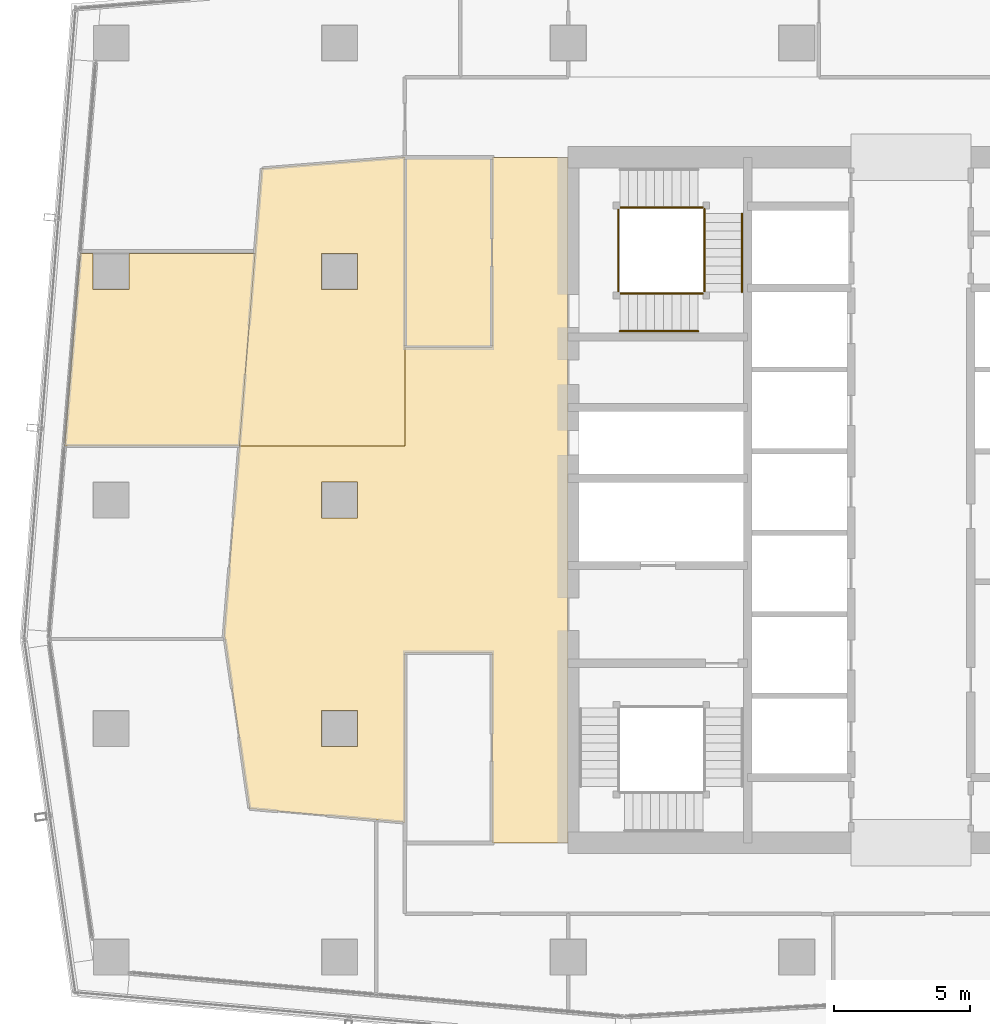
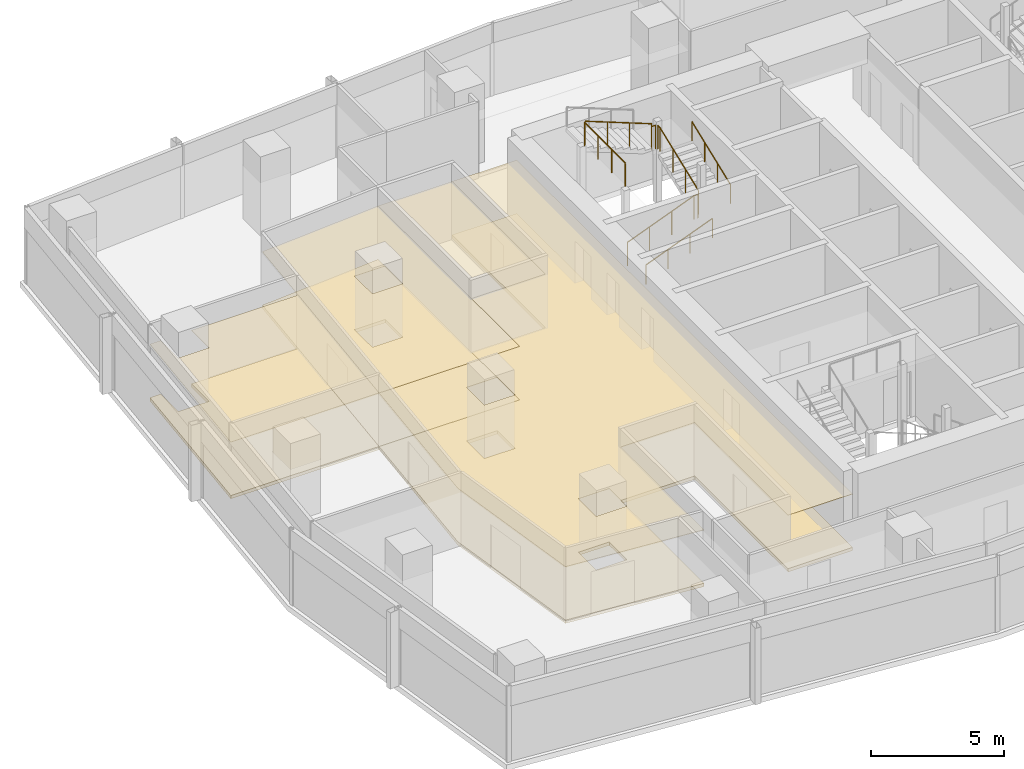
# One storey, part 24 of 26: 9 railings, 7 coverings.
"""IFC4 building model written with IfcOpenShell, lengths in metres."""

from ifc_helpers import new_model, si_unit, direction, frame, origin, origin_2d, place, context, subcontext, project, spatial, polyline, circle, outline, extrude, material, layer, layer_set, type_object, element, save


model = new_model("IFC4")

# Units and contexts
model_context = context("Model", 3, precision=1e-05, world=origin(), true_north=direction((0.0, 1.0)))
body_context = subcontext(model_context, "Body", "Model", "MODEL_VIEW")
ifc_project = project(units=[si_unit("LENGTHUNIT", "METRE"), si_unit("AREAUNIT", "SQUARE_METRE"), si_unit("VOLUMEUNIT", "CUBIC_METRE"), si_unit("PLANEANGLEUNIT", "RADIAN"), si_unit("MASSUNIT", "GRAM", prefix="KILO")], contexts=[model_context])

# Site, building, storey
site_placement = place(None, origin())
site = spatial("IfcSite", under=ifc_project, at=site_placement, CompositionType="ELEMENT")
building_placement = place(site_placement, origin())
building = spatial("IfcBuilding", under=site, at=building_placement, Name="Rekha Terrace Tower", CompositionType="ELEMENT")
storey_placement = place(building_placement, frame((0.0, 0.0, 283.85009765625)))
storey = spatial("IfcBuildingStorey", under=building, at=storey_placement, Name="L72", CompositionType="ELEMENT", Elevation=283.85009765625)

# Coverings
ifc_material_1 = material(Name="Mineral fibre tile in exposed grid", Category="finish")
ifc_layer_1 = layer(ifc_material_1, 0.02001953125)
ifc_layer_set_1 = layer_set([ifc_layer_1], Name="Mineral fibre tile in exposed grid")
covering_type_1 = type_object("IfcCoveringType", Name="CL1 600x1200 office grid ceiling", PredefinedType="CEILING", material=ifc_layer_set_1)
covering_1_placement = place(storey_placement, frame((0.0, 0.0, 2.579833984375)))
element("IfcCovering", 1, at=covering_1_placement, inside=storey, type_object=covering_type_1, Name="Ceiling L72-07", PredefinedType="CEILING", context=body_context, shape_type="SweptSolid", body=[
    extrude(outline(polyline([(7.735107421875, 42.656005859375), (7.26611328125, 42.656005859375), (6.69091796875, 35.590087890625), (13.112060546875, 35.590087890625), (13.68701171875, 42.656005859375), (9.06494140625, 42.656005859375), (9.06494140625, 41.3349609375), (7.735107421875, 41.3349609375), (7.735107421875, 42.656005859375)])), origin(), (0.0, 0.0, 1.0), 0.02001953125),
])
covering_2_placement = place(storey_placement, frame((0.0, 0.0, 2.579833984375)))
element("IfcCovering", 2, at=covering_2_placement, inside=storey, type_object=covering_type_1, Name="Ceiling L72-O2b", PredefinedType="CEILING", context=body_context, shape_type="SweptSolid", body=[
    extrude(outline(polyline([(13.94091796875, 45.785888671875), (13.68701171875, 42.656005859375), (13.112060546875, 35.590087890625), (19.199951171875, 35.590087890625), (19.199951171875, 46.2060546875), (13.94091796875, 45.785888671875)]), holes=[polyline([(17.465087890625, 41.3349609375), (16.135009765625, 41.3349609375), (16.135009765625, 42.6650390625), (17.465087890625, 42.6650390625), (17.465087890625, 41.3349609375)])]), origin(), (0.0, 0.0, 1.0), 0.02001953125),
])
covering_3_placement = place(storey_placement, frame((0.0, 0.0, 2.579833984375)))
element("IfcCovering", 3, at=covering_3_placement, inside=storey, type_object=covering_type_1, Name="Ceiling L72-O3b", PredefinedType="CEILING", context=body_context, shape_type="SweptSolid", body=[
    extrude(outline(polyline([(12.552978515625, 28.72412109375), (12.5869140625, 28.491943359375), (13.488037109375, 22.259033203125), (18.14892578125, 21.844970703125), (18.14892578125, 21.843994140625), (19.199951171875, 21.7509765625), (19.199951171875, 28.0), (22.39990234375, 28.0), (22.39990234375, 21.0), (25.199951171875, 21.0), (25.199951171875, 46.199951171875), (22.39990234375, 46.199951171875), (22.39990234375, 39.199951171875), (19.199951171875, 39.199951171875), (19.199951171875, 35.590087890625), (13.112060546875, 35.590087890625), (12.552978515625, 28.72412109375)]), holes=[polyline([(17.465087890625, 25.864990234375), (17.465087890625, 24.534912109375), (16.135009765625, 24.534912109375), (16.135009765625, 25.864990234375), (17.465087890625, 25.864990234375)]), polyline([(17.465087890625, 34.264892578125), (17.465087890625, 32.93505859375), (16.135009765625, 32.93505859375), (16.135009765625, 34.264892578125), (17.465087890625, 34.264892578125)])]), origin(), (0.0, 0.0, 1.0), 0.02001953125),
])
ifc_material_2 = material(Name="Fibre cement board", Category="finish")
ifc_layer_2 = layer(ifc_material_2, 0.014892578125)
ifc_layer_set_2 = layer_set([ifc_layer_2], Name="Fibre cement board")
covering_type_2 = type_object("IfcCoveringType", Name="CL2 moisture-resistant board ceiling", PredefinedType="CEILING", material=ifc_layer_set_2)
covering_4_placement = place(storey_placement, frame((0.0, 0.0, 2.5849609375)))
element("IfcCovering", 4, at=covering_4_placement, inside=storey, type_object=covering_type_2, Name="Ceiling L72-WCF2", PredefinedType="CEILING", context=body_context, shape_type="SweptSolid", body=[
    extrude(outline(polyline([(22.39990234375, 46.199951171875), (19.199951171875, 46.199951171875), (19.199951171875, 39.199951171875), (22.39990234375, 39.199951171875), (22.39990234375, 46.199951171875)])), origin(), (0.0, 0.0, 1.0), 0.014892578125),
])

# Railings
ifc_material_3 = material(Name="Stainless steel balustrade", Category="steel")
railing_type_1 = type_object("IfcRailingType", Name="GR1 1100 stair guard", PredefinedType="GUARDRAIL", material=ifc_material_3)
railing_1_placement = place(storey_placement, frame((27.10009765625, 41.18994140625, 0.125)))
element("IfcRailing", 5, at=railing_1_placement, inside=storey, type_object=railing_type_1, Name="Guard ST4 L72 flight 1", PredefinedType="GUARDRAIL", context=body_context, shape_type="SweptSolid", body=[
    extrude(circle(Radius=0.02392578125, at=origin_2d()), frame((0.0, 0.0, 1.076171875), z_axis=(0.931452331594, 0.0, 0.363863372667), x_axis=(0.0, 1.0, 0.0)), (0.0, 0.0, 1.0), 3.091796875),
    extrude(circle(Radius=0.02099609375, at=origin_2d()), origin(), (0.0, 0.0, 1.0), 1.052001953125),
    extrude(circle(Radius=0.02099609375, at=origin_2d()), frame((0.9599609375, 0.0, 0.375)), (0.0, 0.0, 1.0), 1.052001953125),
    extrude(circle(Radius=0.02099609375, at=origin_2d()), frame((1.919921875, 0.0, 0.75)), (0.0, 0.0, 1.0), 1.052001953125),
    extrude(circle(Radius=0.02099609375, at=origin_2d()), frame((2.8798828125, 0.0, 1.125)), (0.0, 0.0, 1.0), 1.052001953125),
])
railing_2_placement = place(storey_placement, frame((30.2099609375, 41.25, 1.375)))
element("IfcRailing", 6, at=railing_2_placement, inside=storey, type_object=railing_type_1, Name="Guard ST4 L72 flight 2", PredefinedType="GUARDRAIL", context=body_context, shape_type="SweptSolid", body=[
    extrude(circle(Radius=0.02392578125, at=origin_2d()), frame((0.0, 0.0, 1.076171875), z_axis=(0.0, 0.931452331594, 0.363863372667), x_axis=(-1.0, 0.0, 0.0)), (0.0, 0.0, 1.0), 3.091796875),
    extrude(circle(Radius=0.02099609375, at=origin_2d()), origin(), (0.0, 0.0, 1.0), 1.052001953125),
    extrude(circle(Radius=0.02099609375, at=origin_2d()), frame((0.0, 0.9599609375, 0.375)), (0.0, 0.0, 1.0), 1.052001953125),
    extrude(circle(Radius=0.02099609375, at=origin_2d()), frame((0.0, 1.919921875, 0.75)), (0.0, 0.0, 1.0), 1.052001953125),
    extrude(circle(Radius=0.02099609375, at=origin_2d()), frame((0.0, 2.8798828125, 1.125)), (0.0, 0.0, 1.0), 1.052001953125),
])
railing_3_placement = place(storey_placement, frame((29.97998046875, 44.360107421875, 2.625)))
element("IfcRailing", 7, at=railing_3_placement, inside=storey, type_object=railing_type_1, Name="Guard ST4 L72 flight 3", PredefinedType="GUARDRAIL", context=body_context, shape_type="SweptSolid", body=[
    extrude(circle(Radius=0.02392578125, at=origin_2d()), frame((0.0, 0.0, 1.076171875), z_axis=(-0.931452331594, 0.0, 0.363863372667), x_axis=(0.0, -1.0, 0.0)), (0.0, 0.0, 1.0), 3.091796875),
    extrude(circle(Radius=0.02099609375, at=origin_2d()), origin(), (0.0, 0.0, 1.0), 1.052001953125),
    extrude(circle(Radius=0.02099609375, at=origin_2d()), frame((-0.9599609375, 0.0, 0.375)), (0.0, 0.0, 1.0), 1.052001953125),
    extrude(circle(Radius=0.02099609375, at=origin_2d()), frame((-1.919921875, 0.0, 0.75)), (0.0, 0.0, 1.0), 1.052001953125),
    extrude(circle(Radius=0.02099609375, at=origin_2d()), frame((-2.8798828125, 0.0, 1.125)), (0.0, 0.0, 1.0), 1.052001953125),
])
railing_4_placement = place(storey_placement, frame((29.97998046875, 41.18994140625, 1.25)))
element("IfcRailing", 8, at=railing_4_placement, inside=storey, type_object=railing_type_1, Name="Guard ST4 L72 landing 1", PredefinedType="GUARDRAIL", context=body_context, shape_type="SweptSolid", body=[
    extrude(circle(Radius=0.02392578125, at=origin_2d()), frame((0.0, 0.0, 1.076171875), z_axis=(1.0, 0.0, 0.0), x_axis=(0.0, 1.0, 0.0)), (0.0, 0.0, 1.0), 0.169921875),
    extrude(circle(Radius=0.02099609375, at=origin_2d()), origin(), (0.0, 0.0, 1.0), 1.052001953125),
    extrude(circle(Radius=0.02099609375, at=origin_2d()), frame((0.169921875, 0.0, 0.0)), (0.0, 0.0, 1.0), 1.052001953125),
])
railing_5_placement = place(storey_placement, frame((30.2099609375, 44.1298828125, 2.5)))
element("IfcRailing", 9, at=railing_5_placement, inside=storey, type_object=railing_type_1, Name="Guard ST4 L72 landing 2", PredefinedType="GUARDRAIL", context=body_context, shape_type="SweptSolid", body=[
    extrude(circle(Radius=0.02392578125, at=origin_2d()), frame((0.0, 0.0, 1.076171875), z_axis=(0.0, 1.0, 0.0), x_axis=(-1.0, 0.0, 0.0)), (0.0, 0.0, 1.0), 0.170166015625),
    extrude(circle(Radius=0.02099609375, at=origin_2d()), origin(), (0.0, 0.0, 1.0), 1.052001953125),
    extrude(circle(Radius=0.02099609375, at=origin_2d()), frame((0.0, 0.170166015625, 0.0)), (0.0, 0.0, 1.0), 1.052001953125),
])
railing_6_placement = place(storey_placement, frame((29.97998046875, 44.360107421875, 2.5)))
element("IfcRailing", 10, at=railing_6_placement, inside=storey, type_object=railing_type_1, Name="Guard ST4 L72 landing 3", PredefinedType="GUARDRAIL", context=body_context, shape_type="SweptSolid", body=[
    extrude(circle(Radius=0.02392578125, at=origin_2d()), frame((0.0, 0.0, 1.076171875), z_axis=(1.0, 0.0, 0.0), x_axis=(0.0, 1.0, 0.0)), (0.0, 0.0, 1.0), 0.169921875),
    extrude(circle(Radius=0.02099609375, at=origin_2d()), origin(), (0.0, 0.0, 1.0), 1.052001953125),
    extrude(circle(Radius=0.02099609375, at=origin_2d()), frame((0.169921875, 0.0, 0.0)), (0.0, 0.0, 1.0), 1.052001953125),
])
railing_7_placement = place(storey_placement, frame((27.0400390625, 41.25, 3.75)))
element("IfcRailing", 11, at=railing_7_placement, inside=storey, type_object=railing_type_1, Name="Guard ST4 L72 landing 4", PredefinedType="GUARDRAIL", context=body_context, shape_type="SweptSolid", body=[
    extrude(circle(Radius=0.02392578125, at=origin_2d()), frame((0.0, 0.0, 1.076171875), z_axis=(0.0, 1.0, 0.0), x_axis=(-1.0, 0.0, 0.0)), (0.0, 0.0, 1.0), 3.050048828125),
    extrude(circle(Radius=0.02099609375, at=origin_2d()), origin(), (0.0, 0.0, 1.0), 1.052001953125),
    extrude(circle(Radius=0.02099609375, at=origin_2d()), frame((0.0, 1.0166015625, 0.0)), (0.0, 0.0, 1.0), 1.052001953125),
    extrude(circle(Radius=0.02099609375, at=origin_2d()), frame((0.0, 2.033447265625, 0.0)), (0.0, 0.0, 1.0), 1.052001953125),
    extrude(circle(Radius=0.02099609375, at=origin_2d()), frame((0.0, 3.050048828125, 0.0)), (0.0, 0.0, 1.0), 1.052001953125),
])
ifc_material_4 = material(Name="Stainless steel tube", Category="steel")
railing_type_2 = type_object("IfcRailingType", Name="HR1 900 stair handrail", PredefinedType="HANDRAIL", material=ifc_material_4)
railing_8_placement = place(storey_placement, frame((27.10009765625, 39.81005859375, 0.125)))
element("IfcRailing", 12, at=railing_8_placement, inside=storey, type_object=railing_type_2, Name="Handrail ST4 L72 flight 1", PredefinedType="HANDRAIL", context=body_context, shape_type="SweptSolid", body=[
    extrude(circle(Radius=0.02392578125, at=origin_2d()), frame((0.0, 0.0, 0.8759765625), z_axis=(0.931452331594, 0.0, 0.363863372667), x_axis=(0.0, 1.0, 0.0)), (0.0, 0.0, 1.0), 3.091796875),
    extrude(circle(Radius=0.02099609375, at=origin_2d()), origin(), (0.0, 0.0, 1.0), 0.851806640625),
    extrude(circle(Radius=0.02099609375, at=origin_2d()), frame((0.9599609375, 0.0, 0.375)), (0.0, 0.0, 1.0), 0.851806640625),
    extrude(circle(Radius=0.02099609375, at=origin_2d()), frame((1.919921875, 0.0, 0.75)), (0.0, 0.0, 1.0), 0.851806640625),
    extrude(circle(Radius=0.02099609375, at=origin_2d()), frame((2.8798828125, 0.0, 1.125)), (0.0, 0.0, 1.0), 0.851806640625),
])
railing_9_placement = place(storey_placement, frame((31.590087890625, 41.25, 1.375)))
element("IfcRailing", 13, at=railing_9_placement, inside=storey, type_object=railing_type_2, Name="Handrail ST4 L72 flight 2", PredefinedType="HANDRAIL", context=body_context, shape_type="SweptSolid", body=[
    extrude(circle(Radius=0.02392578125, at=origin_2d()), frame((0.0, 0.0, 0.8759765625), z_axis=(0.0, 0.931452331594, 0.363863372667), x_axis=(-1.0, 0.0, 0.0)), (0.0, 0.0, 1.0), 3.091796875),
    extrude(circle(Radius=0.02099609375, at=origin_2d()), origin(), (0.0, 0.0, 1.0), 0.851806640625),
    extrude(circle(Radius=0.02099609375, at=origin_2d()), frame((0.0, 0.9599609375, 0.375)), (0.0, 0.0, 1.0), 0.851806640625),
    extrude(circle(Radius=0.02099609375, at=origin_2d()), frame((0.0, 1.919921875, 0.75)), (0.0, 0.0, 1.0), 0.851806640625),
    extrude(circle(Radius=0.02099609375, at=origin_2d()), frame((0.0, 2.8798828125, 1.125)), (0.0, 0.0, 1.0), 0.851806640625),
])

# Coverings
ifc_material_5 = material(Name="Calcium sulphate panels on steel pedestals", Category="steel")
ifc_layer_3 = layer(ifc_material_5, 0.14990234375)
ifc_layer_set_3 = layer_set([ifc_layer_3], Name="Calcium sulphate panels on steel pedestals")
covering_type_3 = type_object("IfcCoveringType", Name="RF1 150 raised access floor", PredefinedType="FLOORING", material=ifc_layer_set_3)
covering_5_placement = place(storey_placement, origin())
element("IfcCovering", 14, at=covering_5_placement, inside=storey, type_object=covering_type_3, Name="Raised floor L72-07", PredefinedType="FLOORING", context=body_context, shape_type="SweptSolid", body=[
    extrude(outline(polyline([(7.735107421875, 42.656005859375), (7.26611328125, 42.656005859375), (6.69091796875, 35.590087890625), (13.112060546875, 35.590087890625), (13.68701171875, 42.656005859375), (9.06494140625, 42.656005859375), (9.06494140625, 41.3349609375), (7.735107421875, 41.3349609375), (7.735107421875, 42.656005859375)])), origin(), (0.0, 0.0, 1.0), 0.14990234375),
])
covering_6_placement = place(storey_placement, origin())
element("IfcCovering", 15, at=covering_6_placement, inside=storey, type_object=covering_type_3, Name="Raised floor L72-O2b", PredefinedType="FLOORING", context=body_context, shape_type="SweptSolid", body=[
    extrude(outline(polyline([(13.94091796875, 45.785888671875), (13.68701171875, 42.656005859375), (13.112060546875, 35.590087890625), (19.199951171875, 35.590087890625), (19.199951171875, 46.2060546875), (13.94091796875, 45.785888671875)]), holes=[polyline([(17.465087890625, 41.3349609375), (16.135009765625, 41.3349609375), (16.135009765625, 42.6650390625), (17.465087890625, 42.6650390625), (17.465087890625, 41.3349609375)])]), origin(), (0.0, 0.0, 1.0), 0.14990234375),
])
covering_7_placement = place(storey_placement, origin())
element("IfcCovering", 16, at=covering_7_placement, inside=storey, type_object=covering_type_3, Name="Raised floor L72-O3b", PredefinedType="FLOORING", context=body_context, shape_type="SweptSolid", body=[
    extrude(outline(polyline([(12.552978515625, 28.72412109375), (12.5869140625, 28.491943359375), (13.488037109375, 22.259033203125), (18.14892578125, 21.844970703125), (18.14892578125, 21.843994140625), (19.199951171875, 21.7509765625), (19.199951171875, 28.0), (22.39990234375, 28.0), (22.39990234375, 21.0), (25.199951171875, 21.0), (25.199951171875, 46.199951171875), (22.39990234375, 46.199951171875), (22.39990234375, 39.199951171875), (19.199951171875, 39.199951171875), (19.199951171875, 35.590087890625), (13.112060546875, 35.590087890625), (12.552978515625, 28.72412109375)]), holes=[polyline([(17.465087890625, 25.864990234375), (17.465087890625, 24.534912109375), (16.135009765625, 24.534912109375), (16.135009765625, 25.864990234375), (17.465087890625, 25.864990234375)]), polyline([(17.465087890625, 34.264892578125), (17.465087890625, 32.93505859375), (16.135009765625, 32.93505859375), (16.135009765625, 34.264892578125), (17.465087890625, 34.264892578125)])]), origin(), (0.0, 0.0, 1.0), 0.14990234375),
])

save(model, "model.ifc")
